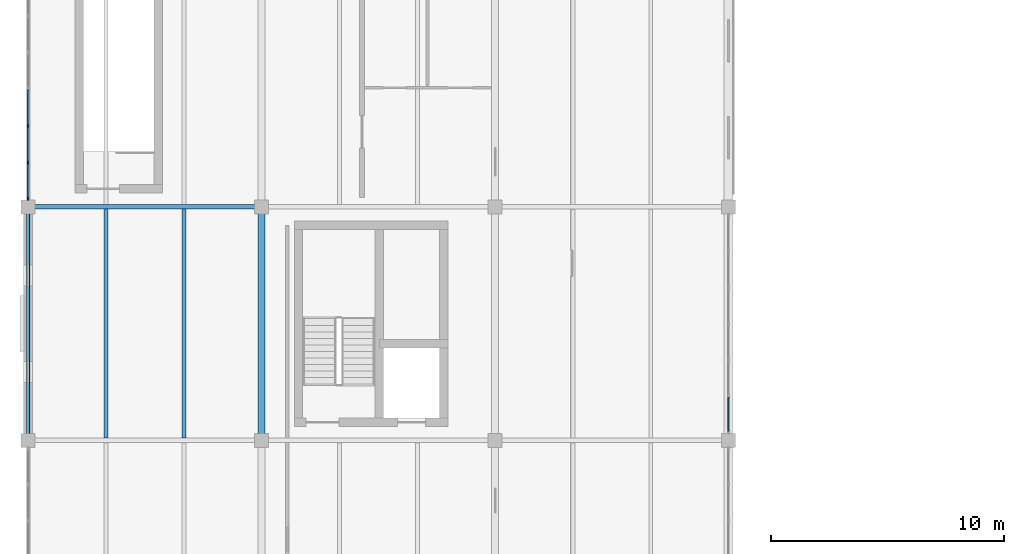
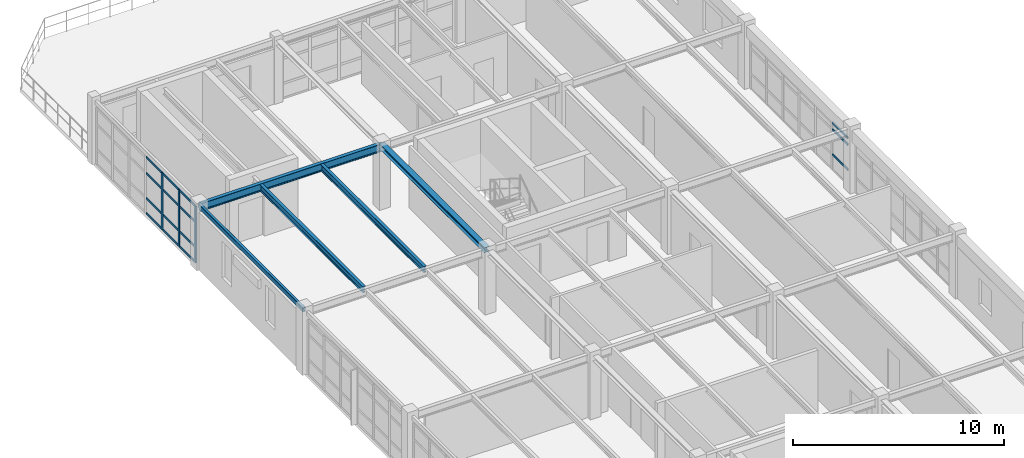
# One storey, part 10 of 23: 18 members, 5 beams, 2 elements without a shape of their own.
"""IFC4 building model written with IfcOpenShell, lengths in metres."""

from ifc_helpers import new_model, si_unit, direction, frame, origin, origin_2d, place, context, subcontext, project, spatial, rectangle, hollow_rectangle, i_section, extrude, material, layer, layer_set, material_profile, profile_set, type_object, element, aggregate, save


model = new_model("IFC4")

# Units and contexts
model_context = context("Model", 3, precision=1e-05, world=origin(), true_north=direction((0.0, 1.0)))
body_context = subcontext(model_context, "Body", "Model", "MODEL_VIEW")
ifc_project = project(units=[si_unit("LENGTHUNIT", "METRE"), si_unit("AREAUNIT", "SQUARE_METRE"), si_unit("VOLUMEUNIT", "CUBIC_METRE"), si_unit("PLANEANGLEUNIT", "RADIAN"), si_unit("MASSUNIT", "GRAM", prefix="KILO"), si_unit("THERMODYNAMICTEMPERATUREUNIT", "KELVIN"), si_unit("POWERUNIT", "WATT")], contexts=[model_context])

# Site, building, storey
site_placement = place(None, origin())
site = spatial("IfcSite", under=ifc_project, at=site_placement, CompositionType="ELEMENT")
building_placement = place(site_placement, origin())
building = spatial("IfcBuilding", under=site, at=building_placement, Name="Korenveer Ferry Terminal", CompositionType="ELEMENT")
storey_placement = place(building_placement, frame((0.0, 0.0, 14.39990234375)))
storey = spatial("IfcBuildingStorey", under=building, at=storey_placement, Name="L03", CompositionType="ELEMENT", Elevation=14.39990234375)

# Curtain wall, members
ifc_material_1 = material(Name="Unitised bronze-and-glass curtain wall", Category="glass")
ifc_layer_1 = layer(ifc_material_1, 0.159912109375)
ifc_layer_set_1 = layer_set([ifc_layer_1], Name="Unitised bronze-and-glass curtain wall")
curtain_wall_type_1 = type_object("IfcCurtainWallType", Name="ENV-CW-126", PredefinedType="USERDEFINED", material=ifc_layer_set_1)
curtain_wall_1_placement = place(storey_placement, frame((0.0, 60.330078125, 0.0)))
curtain_wall_1 = element("IfcCurtainWall", 1, at=curtain_wall_1_placement, inside=storey, type_object=curtain_wall_type_1, Name="Lancet curtain wall CWX-L03-X0-0-Y60-70", ObjectType="UNITISED CURTAIN WALL", PredefinedType="USERDEFINED")
ifc_material_2 = material(Name="Anodised bronze aluminium", Category="aluminium")
ifc_material_profile_1 = material_profile(ifc_material_2, rectangle(XDim=0.06005859375, YDim=0.159912109375, at=origin_2d()), Name="ALU 60x160")
ifc_profile_set_1 = profile_set([ifc_material_profile_1], Name="Anodised bronze aluminium")
member_type_1 = type_object("IfcMemberType", Name="ENV-CWM-60X160", PredefinedType="MULLION", material=ifc_profile_set_1)
member_1_placement = place(storey_placement, frame((0.0, 60.360107421875, 0.0), z_axis=(0.0, 0.0, 1.0), x_axis=(-1.0, 0.0, 0.0)))
member_1 = element("IfcMember", 2, at=member_1_placement, type_object=member_type_1, Name="CW-126 mullion 1", PredefinedType="MULLION", context=body_context, shape_type="SweptSolid", body=[
    extrude(rectangle(XDim=0.06005859375, YDim=0.159912109375, at=origin_2d()), origin(), (0.0, 0.0, 1.0), 3.300048828125),
])
member_2_placement = place(storey_placement, frame((0.0, 61.899169921875, 0.0), z_axis=(0.0, 0.0, 1.0), x_axis=(-1.0, 0.0, 0.0)))
member_2 = element("IfcMember", 3, at=member_2_placement, type_object=member_type_1, Name="CW-126 mullion 2", PredefinedType="MULLION", context=body_context, shape_type="SweptSolid", body=[
    extrude(rectangle(XDim=0.06005859375, YDim=0.159912109375, at=origin_2d()), origin(), (0.0, 0.0, 1.0), 3.300048828125),
])
member_3_placement = place(storey_placement, frame((0.0, 63.46826171875, 0.0), z_axis=(0.0, 0.0, 1.0), x_axis=(-1.0, 0.0, 0.0)))
member_3 = element("IfcMember", 4, at=member_3_placement, type_object=member_type_1, Name="CW-126 mullion 3", PredefinedType="MULLION", context=body_context, shape_type="SweptSolid", body=[
    extrude(rectangle(XDim=0.06005859375, YDim=0.159912109375, at=origin_2d()), origin(), (0.0, 0.0, 1.0), 3.300048828125),
])
ifc_material_profile_2 = material_profile(ifc_material_2, rectangle(XDim=0.06005859375, YDim=0.1201171875, at=origin_2d()), Name="ALU 60x120")
ifc_profile_set_2 = profile_set([ifc_material_profile_2], Name="Anodised bronze aluminium")
member_type_2 = type_object("IfcMemberType", Name="ENV-CWT-60X120", PredefinedType="USERDEFINED", material=ifc_profile_set_2)
member_4_placement = place(storey_placement, frame((0.0, 60.389892578125, 0.030029296875), z_axis=(0.0, 1.0, 0.0), x_axis=(-1.0, 0.0, 0.0)))
member_4 = element("IfcMember", 5, at=member_4_placement, type_object=member_type_2, Name="CW-126 transom 1.1", ObjectType="TRANSOM", PredefinedType="USERDEFINED", context=body_context, shape_type="SweptSolid", body=[
    extrude(rectangle(XDim=0.06005859375, YDim=0.1201171875, at=origin_2d()), origin(), (0.0, 0.0, 1.0), 1.479248046875),
])
member_5_placement = place(storey_placement, frame((0.0, 60.389892578125, 0.900146484375), z_axis=(0.0, 1.0, 0.0), x_axis=(-1.0, 0.0, 0.0)))
member_5 = element("IfcMember", 6, at=member_5_placement, type_object=member_type_2, Name="CW-126 transom 1.2", ObjectType="TRANSOM", PredefinedType="USERDEFINED", context=body_context, shape_type="SweptSolid", body=[
    extrude(rectangle(XDim=0.06005859375, YDim=0.1201171875, at=origin_2d()), origin(), (0.0, 0.0, 1.0), 1.479248046875),
])
member_6_placement = place(storey_placement, frame((0.0, 60.389892578125, 2.35009765625), z_axis=(0.0, 1.0, 0.0), x_axis=(-1.0, 0.0, 0.0)))
member_6 = element("IfcMember", 7, at=member_6_placement, type_object=member_type_2, Name="CW-126 transom 1.3", ObjectType="TRANSOM", PredefinedType="USERDEFINED", context=body_context, shape_type="SweptSolid", body=[
    extrude(rectangle(XDim=0.06005859375, YDim=0.1201171875, at=origin_2d()), origin(), (0.0, 0.0, 1.0), 1.479248046875),
])
member_7_placement = place(storey_placement, frame((0.0, 60.389892578125, 3.27001953125), z_axis=(0.0, 1.0, 0.0), x_axis=(-1.0, 0.0, 0.0)))
member_7 = element("IfcMember", 8, at=member_7_placement, type_object=member_type_2, Name="CW-126 transom 1.4", ObjectType="TRANSOM", PredefinedType="USERDEFINED", context=body_context, shape_type="SweptSolid", body=[
    extrude(rectangle(XDim=0.06005859375, YDim=0.1201171875, at=origin_2d()), origin(), (0.0, 0.0, 1.0), 1.479248046875),
])
member_8_placement = place(storey_placement, frame((0.0, 61.92919921875, 0.030029296875), z_axis=(0.0, 1.0, 0.0), x_axis=(-1.0, 0.0, 0.0)))
member_8 = element("IfcMember", 9, at=member_8_placement, type_object=member_type_2, Name="CW-126 transom 2.1", ObjectType="TRANSOM", PredefinedType="USERDEFINED", context=body_context, shape_type="SweptSolid", body=[
    extrude(rectangle(XDim=0.06005859375, YDim=0.1201171875, at=origin_2d()), origin(), (0.0, 0.0, 1.0), 1.509033203125),
])
member_9_placement = place(storey_placement, frame((0.0, 61.92919921875, 0.900146484375), z_axis=(0.0, 1.0, 0.0), x_axis=(-1.0, 0.0, 0.0)))
member_9 = element("IfcMember", 10, at=member_9_placement, type_object=member_type_2, Name="CW-126 transom 2.2", ObjectType="TRANSOM", PredefinedType="USERDEFINED", context=body_context, shape_type="SweptSolid", body=[
    extrude(rectangle(XDim=0.06005859375, YDim=0.1201171875, at=origin_2d()), origin(), (0.0, 0.0, 1.0), 1.509033203125),
])
member_10_placement = place(storey_placement, frame((0.0, 61.92919921875, 2.35009765625), z_axis=(0.0, 1.0, 0.0), x_axis=(-1.0, 0.0, 0.0)))
member_10 = element("IfcMember", 11, at=member_10_placement, type_object=member_type_2, Name="CW-126 transom 2.3", ObjectType="TRANSOM", PredefinedType="USERDEFINED", context=body_context, shape_type="SweptSolid", body=[
    extrude(rectangle(XDim=0.06005859375, YDim=0.1201171875, at=origin_2d()), origin(), (0.0, 0.0, 1.0), 1.509033203125),
])
member_11_placement = place(storey_placement, frame((0.0, 61.92919921875, 3.27001953125), z_axis=(0.0, 1.0, 0.0), x_axis=(-1.0, 0.0, 0.0)))
member_11 = element("IfcMember", 12, at=member_11_placement, type_object=member_type_2, Name="CW-126 transom 2.4", ObjectType="TRANSOM", PredefinedType="USERDEFINED", context=body_context, shape_type="SweptSolid", body=[
    extrude(rectangle(XDim=0.06005859375, YDim=0.1201171875, at=origin_2d()), origin(), (0.0, 0.0, 1.0), 1.509033203125),
])
member_12_placement = place(storey_placement, frame((0.0, 63.498291015625, 0.030029296875), z_axis=(0.0, 1.0, 0.0), x_axis=(-1.0, 0.0, 0.0)))
member_12 = element("IfcMember", 13, at=member_12_placement, type_object=member_type_2, Name="CW-126 transom 3.1", ObjectType="TRANSOM", PredefinedType="USERDEFINED", context=body_context, shape_type="SweptSolid", body=[
    extrude(rectangle(XDim=0.06005859375, YDim=0.1201171875, at=origin_2d()), origin(), (0.0, 0.0, 1.0), 1.50927734375),
])
member_13_placement = place(storey_placement, frame((0.0, 63.498291015625, 0.900146484375), z_axis=(0.0, 1.0, 0.0), x_axis=(-1.0, 0.0, 0.0)))
member_13 = element("IfcMember", 14, at=member_13_placement, type_object=member_type_2, Name="CW-126 transom 3.2", ObjectType="TRANSOM", PredefinedType="USERDEFINED", context=body_context, shape_type="SweptSolid", body=[
    extrude(rectangle(XDim=0.06005859375, YDim=0.1201171875, at=origin_2d()), origin(), (0.0, 0.0, 1.0), 1.50927734375),
])
member_14_placement = place(storey_placement, frame((0.0, 63.498291015625, 2.35009765625), z_axis=(0.0, 1.0, 0.0), x_axis=(-1.0, 0.0, 0.0)))
member_14 = element("IfcMember", 15, at=member_14_placement, type_object=member_type_2, Name="CW-126 transom 3.3", ObjectType="TRANSOM", PredefinedType="USERDEFINED", context=body_context, shape_type="SweptSolid", body=[
    extrude(rectangle(XDim=0.06005859375, YDim=0.1201171875, at=origin_2d()), origin(), (0.0, 0.0, 1.0), 1.50927734375),
])
member_15_placement = place(storey_placement, frame((0.0, 63.498291015625, 3.27001953125), z_axis=(0.0, 1.0, 0.0), x_axis=(-1.0, 0.0, 0.0)))
member_15 = element("IfcMember", 16, at=member_15_placement, type_object=member_type_2, Name="CW-126 transom 3.4", ObjectType="TRANSOM", PredefinedType="USERDEFINED", context=body_context, shape_type="SweptSolid", body=[
    extrude(rectangle(XDim=0.06005859375, YDim=0.1201171875, at=origin_2d()), origin(), (0.0, 0.0, 1.0), 1.50927734375),
])
aggregate(curtain_wall_1, [member_1, member_2, member_3, member_4, member_5, member_6, member_7, member_8, member_9, member_10, member_11, member_12, member_13, member_14, member_15])

ifc_layer_2 = layer(ifc_material_1, 0.159912109375)
ifc_layer_set_2 = layer_set([ifc_layer_2], Name="Unitised bronze-and-glass curtain wall")
curtain_wall_type_2 = type_object("IfcCurtainWallType", Name="ENV-CW-127", PredefinedType="USERDEFINED", material=ifc_layer_set_2)
curtain_wall_2_placement = place(storey_placement, frame((30.0, 59.669921875, 0.0)))
curtain_wall_2 = element("IfcCurtainWall", 17, at=curtain_wall_2_placement, inside=storey, type_object=curtain_wall_type_2, Name="Lancet curtain wall CWX-L03-X30-30-Y50-60", ObjectType="UNITISED CURTAIN WALL", PredefinedType="USERDEFINED")
member_16_placement = place(storey_placement, frame((30.0, 51.856689453125, 0.900146484375), z_axis=(0.0, -1.0, 0.0), x_axis=(1.0, 0.0, 0.0)))
member_16 = element("IfcMember", 18, at=member_16_placement, type_object=member_type_2, Name="CW-127 transom 6.2", ObjectType="TRANSOM", PredefinedType="USERDEFINED", context=body_context, shape_type="SweptSolid", body=[
    extrude(rectangle(XDim=0.06005859375, YDim=0.1201171875, at=origin_2d()), origin(), (0.0, 0.0, 1.0), 1.466796875),
])
member_17_placement = place(storey_placement, frame((30.0, 51.856689453125, 2.35009765625), z_axis=(0.0, -1.0, 0.0), x_axis=(1.0, 0.0, 0.0)))
member_17 = element("IfcMember", 19, at=member_17_placement, type_object=member_type_2, Name="CW-127 transom 6.3", ObjectType="TRANSOM", PredefinedType="USERDEFINED", context=body_context, shape_type="SweptSolid", body=[
    extrude(rectangle(XDim=0.06005859375, YDim=0.1201171875, at=origin_2d()), origin(), (0.0, 0.0, 1.0), 1.466796875),
])
member_18_placement = place(storey_placement, frame((30.0, 51.856689453125, 2.739990234375), z_axis=(0.0, -1.0, 0.0), x_axis=(1.0, 0.0, 0.0)))
member_18 = element("IfcMember", 20, at=member_18_placement, type_object=member_type_2, Name="CW-127 transom 6.4", ObjectType="TRANSOM", PredefinedType="USERDEFINED", context=body_context, shape_type="SweptSolid", body=[
    extrude(rectangle(XDim=0.06005859375, YDim=0.1201171875, at=origin_2d()), origin(), (0.0, 0.0, 1.0), 1.466796875),
])
aggregate(curtain_wall_2, [member_16, member_17, member_18])

# Beams
ifc_material_3 = material(Name="Steel S355", Category="steel")
ifc_material_profile_3 = material_profile(ifc_material_3, i_section(OverallWidth=0.300048828125, OverallDepth=0.2900390625, WebThickness=0.008544921875, FlangeThickness=0.013916015625, FilletRadius=0.027099609375, at=origin_2d()), Name="HEA 300")
ifc_profile_set_3 = profile_set([ifc_material_profile_3], Name="Steel S355")
beam_type_1 = type_object("IfcBeamType", Name="STR-BM-HEA300", PredefinedType="BEAM", material=ifc_profile_set_3)
beam_1_placement = place(storey_placement, frame((10.0, 50.02001953125, 3.505126953125), z_axis=(0.0, 1.0, 0.0), x_axis=(-1.0, 0.0, 0.0)))
element("IfcBeam", 21, at=beam_1_placement, inside=storey, type_object=beam_type_1, Name="Primary Y girder BMY-L04-X10-Y50-60", PredefinedType="BEAM", context=body_context, shape_type="SweptSolid", body=[
    extrude(i_section(OverallWidth=0.300048828125, OverallDepth=0.2900390625, WebThickness=0.008544921875, FlangeThickness=0.013916015625, FilletRadius=0.027099609375, at=origin_2d()), origin(), (0.0, 0.0, 1.0), 9.9599609375),
])
ifc_material_profile_4 = material_profile(ifc_material_3, i_section(OverallWidth=0.18994140625, OverallDepth=0.449951171875, WebThickness=0.009521484375, FlangeThickness=0.0146484375, FilletRadius=0.02099609375, at=origin_2d()), Name="IPE 450")
ifc_profile_set_4 = profile_set([ifc_material_profile_4], Name="Steel S355")
beam_type_2 = type_object("IfcBeamType", Name="STR-BM-IPE450", PredefinedType="BEAM", material=ifc_profile_set_4)
beam_2_placement = place(storey_placement, frame((0.02001953125, 60.0, 3.425048828125), z_axis=(1.0, 0.0, 0.0), x_axis=(0.0, 1.0, 0.0)))
element("IfcBeam", 22, at=beam_2_placement, inside=storey, type_object=beam_type_2, Name="Primary X girder BMX-L04-X0-10-Y60", PredefinedType="BEAM", context=body_context, shape_type="SweptSolid", body=[
    extrude(i_section(OverallWidth=0.18994140625, OverallDepth=0.449951171875, WebThickness=0.009521484375, FlangeThickness=0.0146484375, FilletRadius=0.02099609375, at=origin_2d()), origin(), (0.0, 0.0, 1.0), 9.9599609375),
])
ifc_material_profile_5 = material_profile(ifc_material_3, i_section(OverallWidth=0.169921875, OverallDepth=0.360107421875, WebThickness=0.008056640625, FlangeThickness=0.0126953125, FilletRadius=0.01806640625, at=origin_2d()), Name="IPE 360")
ifc_profile_set_5 = profile_set([ifc_material_profile_5], Name="Steel S355")
beam_type_3 = type_object("IfcBeamType", Name="STR-JST-IPE360", PredefinedType="JOIST", material=ifc_profile_set_5)
for number, where, z_axis, x_axis, name in (
    (23, (3.333251953125, 50.10498046875, 3.47021484375), (0.0, 1.0, 0.0), (-1.0, 0.0, 0.0), "Secondary composite joist JST-L04-X33-Y50-60"),
    (24, (6.666748046875, 50.10498046875, 3.47021484375), (0.0, 1.0, 0.0), (-1.0, 0.0, 0.0), "Secondary composite joist JST-L04-X67-Y50-60"),
):
    element("IfcBeam", number, at=place(storey_placement, frame(where, z_axis=z_axis, x_axis=x_axis)), inside=storey, type_object=beam_type_3, Name=name, PredefinedType="JOIST", context=body_context, shape_type="SweptSolid", body=[
        extrude(i_section(OverallWidth=0.169921875, OverallDepth=0.360107421875, WebThickness=0.008056640625, FlangeThickness=0.0126953125, FilletRadius=0.01806640625, at=origin_2d()), origin(), (0.0, 0.0, 1.0), 9.7900390625),
    ])
ifc_material_profile_6 = material_profile(ifc_material_3, hollow_rectangle(XDim=0.14990234375, YDim=0.25, WallThickness=0.010009765625, InnerFilletRadius=0.010009765625, OuterFilletRadius=0.014892578125, at=origin_2d()), Name="RHS 250x150x10")
ifc_profile_set_6 = profile_set([ifc_material_profile_6], Name="Steel S355")
beam_type_4 = type_object("IfcBeamType", Name="STR-SPD-RHS250", PredefinedType="SPANDREL", material=ifc_profile_set_6)
beam_3_placement = place(storey_placement, frame((0.0, 50.02001953125, 3.525146484375), z_axis=(0.0, 1.0, 0.0), x_axis=(-1.0, 0.0, 0.0)))
element("IfcBeam", 25, at=beam_3_placement, inside=storey, type_object=beam_type_4, Name="Primary Y girder BMY-L04-X0-Y50-60", PredefinedType="SPANDREL", context=body_context, shape_type="SweptSolid", body=[
    extrude(hollow_rectangle(XDim=0.14990234375, YDim=0.25, WallThickness=0.010009765625, InnerFilletRadius=0.010009765625, OuterFilletRadius=0.014892578125, at=origin_2d()), origin(), (0.0, 0.0, 1.0), 9.9599609375),
])

save(model, "model.ifc")
